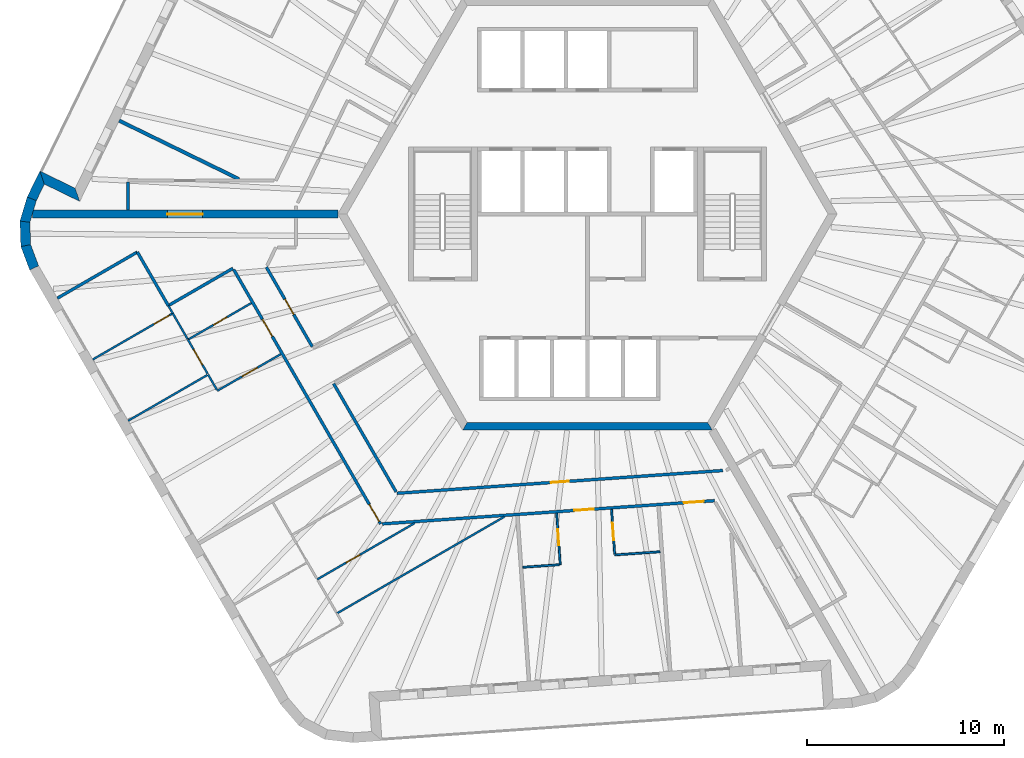
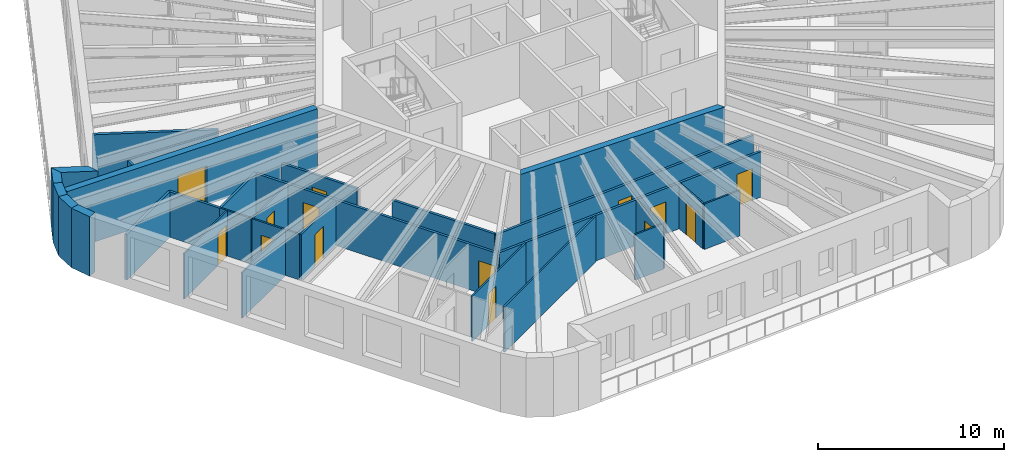
# One storey, part 4 of 12: 31 walls, 14 doors, 14 openings.
"""IFC4 building model written with IfcOpenShell, lengths in metres."""

from ifc_helpers import new_model, si_unit, direction, frame, frame_2d, origin, place, context, subcontext, project, spatial, polyline, rectangle, outline, extrude, material, layer, layer_set, type_object, element, fill, save


model = new_model("IFC4")

# Units and contexts
model_context = context("Model", 3, precision=1e-05, world=origin(), true_north=direction((0.0, 1.0)))
body_context = subcontext(model_context, "Body", "Model", "MODEL_VIEW")
ifc_project = project(units=[si_unit("LENGTHUNIT", "METRE"), si_unit("AREAUNIT", "SQUARE_METRE"), si_unit("VOLUMEUNIT", "CUBIC_METRE"), si_unit("PLANEANGLEUNIT", "RADIAN"), si_unit("MASSUNIT", "GRAM", prefix="KILO")], contexts=[model_context])

# Site, building, storey
site_placement = place(None, origin())
site = spatial("IfcSite", under=ifc_project, at=site_placement, CompositionType="ELEMENT")
building_placement = place(site_placement, origin())
building = spatial("IfcBuilding", under=site, at=building_placement, Name="Tarnside Tower", CompositionType="ELEMENT")
storey_placement = place(building_placement, frame((0.0, 0.0, 271.800048828125)))
storey = spatial("IfcBuildingStorey", under=building, at=storey_placement, Name="L65", CompositionType="ELEMENT", Elevation=271.800048828125)

# Wall, opening, door
ifc_material_1 = material(Name="Gypsum board partition on steel studs", Category="steel")
ifc_layer_1 = layer(ifc_material_1, 0.10009765625)
ifc_layer_set_1 = layer_set([ifc_layer_1], Name="Bathroom wall 100")
wall_type_1 = type_object("IfcWallType", Name="Bathroom wall 100", PredefinedType="PARTITIONING", material=ifc_layer_set_1)
wall_1_placement = place(storey_placement, frame((-17.1005859375, -4.53076171875, 0.0), z_axis=(0.0, 0.0, 1.0), x_axis=(-0.866028424924, -0.499994767197, 0.0)))
wall_1 = element("IfcWall", 1, at=wall_1_placement, inside=storey, type_object=wall_type_1, Name="Bathroom wall 21120", PredefinedType="PARTITIONING", context=body_context, shape_type="SweptSolid", body=[
    extrude(rectangle(XDim=3.72509765625, YDim=0.10009765625, at=frame_2d((1.862548828125, 0.0))), origin(), (0.0, 0.0, 1.0), 2.98779296875),
])
opening_1_placement = place(wall_1_placement, frame((1.425048828125, 0.0, 0.0)))
opening_1 = element("IfcOpeningElement", 2, at=opening_1_placement, cuts=wall_1, Name="Opening D-B1", PredefinedType="OPENING", context=body_context, shape_type="SweptSolid", body=[
    extrude(rectangle(XDim=0.800048828125, YDim=2.10009765625, at=frame_2d((0.39990234375, 1.050048828125))), frame((0.0, 0.06005859375, 0.0), z_axis=(0.0, -1.0, 0.0), x_axis=(1.0, 0.0, 0.0)), (0.0, 0.0, 1.0), 0.1201171875),
])
ifc_material_2 = material(Name="Timber door leaf", Category="wood")
door_type_1 = type_object("IfcDoorType", Name="Bathroom door 800", OperationType="NOTDEFINED", PredefinedType="DOOR", material=ifc_material_2)
door_1_placement = place(opening_1_placement, origin())
door_1 = element("IfcDoor", 3, at=door_1_placement, inside=storey, type_object=door_type_1, Name="Bathroom door 21027", OperationType="SINGLE_SWING_RIGHT", OverallHeight=2.10009765625, OverallWidth=0.800048828125, PredefinedType="DOOR", context=body_context, shape_type="SweptSolid", body=[
    extrude(rectangle(XDim=0.800048828125, YDim=2.10009765625, at=frame_2d((0.39990234375, 1.050048828125))), frame((0.0, 0.02490234375, 0.0), z_axis=(0.0, -1.0, 0.0), x_axis=(1.0, 0.0, 0.0)), (0.0, 0.0, 1.0), 0.050048828125),
])
fill(opening_1, door_1)

# Walls
wall_2_placement = place(storey_placement, frame((-21.32763671875, -4.659423828125, 0.0), z_axis=(0.0, 0.0, 1.0), x_axis=(0.500250683452, -0.865880623242, 0.0)))
element("IfcWall", 4, at=wall_2_placement, inside=storey, type_object=wall_type_1, Name="Bathroom wall 21122", PredefinedType="PARTITIONING", context=body_context, shape_type="SweptSolid", body=[
    extrude(rectangle(XDim=0.453369140625, YDim=0.10009765625, at=frame_2d((0.2265625, 0.0))), origin(), (0.0, 0.0, 1.0), 2.98779296875),
])
wall_3_placement = place(storey_placement, frame((-21.100830078125, -5.052001953125, 0.0), z_axis=(0.0, 0.0, 1.0), x_axis=(0.49997126526, -0.866041993159, 0.0)))
element("IfcWall", 5, at=wall_3_placement, inside=storey, type_object=wall_type_1, Name="Bathroom wall 21123", PredefinedType="PARTITIONING", context=body_context, shape_type="SweptSolid", body=[
    extrude(rectangle(XDim=1.50048828125, YDim=0.10009765625, at=frame_2d((0.750244140625, 0.0))), origin(), (0.0, 0.0, 1.0), 2.98779296875),
])
wall_4_placement = place(storey_placement, frame((-4.238037109375, -15.408203125, 0.0), z_axis=(0.0, 0.0, 1.0), x_axis=(-0.86602504101, -0.500000628343, 0.0)))
element("IfcWall", 6, at=wall_4_placement, inside=storey, type_object=wall_type_1, Name="Bathroom wall 21127", PredefinedType="PARTITIONING", context=body_context, shape_type="SweptSolid", body=[
    extrude(rectangle(XDim=9.82568359375, YDim=0.10009765625, at=frame_2d((4.912841796875, 0.0))), origin(), (0.0, 0.0, 1.0), 2.98779296875),
])

# Wall, opening, door
wall_5_placement = place(storey_placement, frame((-13.747314453125, -18.5888671875, 0.0), z_axis=(0.0, 0.0, 1.0), x_axis=(0.866022251081, 0.500005460603, 0.0)))
wall_5 = element("IfcWall", 7, at=wall_5_placement, inside=storey, type_object=wall_type_1, Name="Bathroom wall 21133", PredefinedType="PARTITIONING", context=body_context, shape_type="SweptSolid", body=[
    extrude(rectangle(XDim=5.72509765625, YDim=0.10009765625, at=frame_2d((2.862548828125, 0.0))), origin(), (0.0, 0.0, 1.0), 2.98779296875),
])
opening_2_placement = place(wall_5_placement, frame((1.699951171875, 0.0, 0.0)))
opening_2 = element("IfcOpeningElement", 8, at=opening_2_placement, cuts=wall_5, Name="Opening D-B1", PredefinedType="OPENING", context=body_context, shape_type="SweptSolid", body=[
    extrude(rectangle(XDim=0.800048828125, YDim=2.10009765625, at=frame_2d((0.39990234375, 1.050048828125))), frame((0.0, 0.06005859375, 0.0), z_axis=(0.0, -1.0, 0.0), x_axis=(1.0, 0.0, 0.0)), (0.0, 0.0, 1.0), 0.1201171875),
])
door_2_placement = place(opening_2_placement, origin())
door_2 = element("IfcDoor", 9, at=door_2_placement, inside=storey, type_object=door_type_1, Name="Bathroom door 21041", OperationType="SINGLE_SWING_RIGHT", OverallHeight=2.10009765625, OverallWidth=0.800048828125, PredefinedType="DOOR", context=body_context, shape_type="SweptSolid", body=[
    extrude(rectangle(XDim=0.800048828125, YDim=2.10009765625, at=frame_2d((0.39990234375, 1.050048828125))), frame((0.0, 0.02490234375, 0.0), z_axis=(0.0, -1.0, 0.0), x_axis=(1.0, 0.0, 0.0)), (0.0, 0.0, 1.0), 0.050048828125),
])
fill(opening_2, door_2)

wall_6_placement = place(storey_placement, frame((-1.566650390625, -15.221435546875, 0.0), z_axis=(0.0, 0.0, 1.0), x_axis=(0.069753235829, -0.997564276672, 0.0)))
wall_6 = element("IfcWall", 10, at=wall_6_placement, inside=storey, type_object=wall_type_1, Name="Bathroom wall 21137", PredefinedType="PARTITIONING", context=body_context, shape_type="SweptSolid", body=[
    extrude(rectangle(XDim=2.625, YDim=0.10009765625, at=frame_2d((1.3125, 0.0))), origin(), (0.0, 0.0, 1.0), 2.98779296875),
])
opening_3_placement = place(wall_6_placement, frame((0.824951171875, 0.0, 0.0)))
opening_3 = element("IfcOpeningElement", 11, at=opening_3_placement, cuts=wall_6, Name="Opening D-B1", PredefinedType="OPENING", context=body_context, shape_type="SweptSolid", body=[
    extrude(rectangle(XDim=0.800048828125, YDim=2.10009765625, at=frame_2d((0.39990234375, 1.050048828125))), frame((0.0, 0.06005859375, 0.0), z_axis=(0.0, -1.0, 0.0), x_axis=(1.0, 0.0, 0.0)), (0.0, 0.0, 1.0), 0.1201171875),
])
door_3_placement = place(opening_3_placement, origin())
door_3 = element("IfcDoor", 12, at=door_3_placement, inside=storey, type_object=door_type_1, Name="Bathroom door 21043", OperationType="SINGLE_SWING_RIGHT", OverallHeight=2.10009765625, OverallWidth=0.800048828125, PredefinedType="DOOR", context=body_context, shape_type="SweptSolid", body=[
    extrude(rectangle(XDim=0.800048828125, YDim=2.10009765625, at=frame_2d((0.39990234375, 1.050048828125))), frame((0.0, 0.02490234375, 0.0), z_axis=(0.0, -1.0, 0.0), x_axis=(1.0, 0.0, 0.0)), (0.0, 0.0, 1.0), 0.050048828125),
])
fill(opening_3, door_3)

# Walls
wall_7_placement = place(storey_placement, frame((-1.43359375, -17.843505859375, 0.0), z_axis=(0.0, 0.0, 1.0), x_axis=(-0.997568101915, -0.069698508173, 0.0)))
element("IfcWall", 13, at=wall_7_placement, inside=storey, type_object=wall_type_1, Name="Bathroom wall 21138", PredefinedType="PARTITIONING", context=body_context, shape_type="SweptSolid", body=[
    extrude(rectangle(XDim=1.860107421875, YDim=0.10009765625, at=frame_2d((0.93017578125, 0.0))), origin(), (0.0, 0.0, 1.0), 2.98779296875),
])
ifc_material_3 = material(Name="Concrete C60/75", Category="concrete")
ifc_layer_2 = layer(ifc_material_3, 0.39990234375)
ifc_layer_set_2 = layer_set([ifc_layer_2], Name="Core wall Z3 400 C60/75")
wall_type_2 = type_object("IfcWallType", Name="Core wall Z3 400 C60/75", PredefinedType="SHEAR", material=ifc_layer_set_2)
wall_8_placement = place(storey_placement, frame((-6.2353515625, -10.800048828125, -0.150146484375), z_axis=(0.0, 0.0, 1.0), x_axis=(1.0, 0.0, 0.0)))
element("IfcWall", 14, at=wall_8_placement, inside=storey, type_object=wall_type_2, Name="L65 core wall face 4", PredefinedType="SHEAR", context=body_context, shape_type="SweptSolid", body=[
    extrude(outline(polyline([(-0.115478515625, -0.199951171875), (12.586181640625, -0.199951171875), (12.355224609375, 0.199951171875), (0.115478515625, 0.199951171875), (-0.115478515625, -0.199951171875)])), origin(), (0.0, 0.0, 1.0), 3.900146484375),
])

# Wall, opening, door
wall_9_placement = place(storey_placement, frame((-12.70166015625, 0.0, -0.150146484375), z_axis=(0.0, 0.0, 1.0), x_axis=(-1.0, 0.0, 0.0)))
wall_9 = element("IfcWall", 15, at=wall_9_placement, inside=storey, type_object=wall_type_2, Name="L65 spine wall 2", PredefinedType="SHEAR", context=body_context, shape_type="SweptSolid", body=[
    extrude(rectangle(XDim=15.54443359375, YDim=0.39990234375, at=frame_2d((7.772216796875, 0.0))), origin(), (0.0, 0.0, 1.0), 3.900146484375),
])
opening_4_placement = place(wall_9_placement, frame((6.872314453125, 0.0, 0.14990234375)))
opening_4 = element("IfcOpeningElement", 16, at=opening_4_placement, cuts=wall_9, Name="Opening CD-SPN", PredefinedType="OPENING", context=body_context, shape_type="SweptSolid", body=[
    extrude(rectangle(XDim=1.800048828125, YDim=2.39990234375, at=frame_2d((0.89990234375, 1.199951171875))), frame((0.0, 0.2099609375, 0.0), z_axis=(0.0, -1.0, 0.0), x_axis=(1.0, 0.0, 0.0)), (0.0, 0.0, 1.0), 0.419921875),
])
ifc_material_4 = material(Name="Steel fire door", Category="steel")
door_type_2 = type_object("IfcDoorType", Name="Spine passage double door FD60 1800x2400", OperationType="NOTDEFINED", PredefinedType="DOOR", material=ifc_material_4)
door_4_placement = place(opening_4_placement, origin())
door_4 = element("IfcDoor", 17, at=door_4_placement, inside=storey, type_object=door_type_2, Name="L65 spine passage door 2", OperationType="DOUBLE_DOOR_SINGLE_SWING", OverallHeight=2.39990234375, OverallWidth=1.800048828125, PredefinedType="DOOR", context=body_context, shape_type="SweptSolid", body=[
    extrude(rectangle(XDim=1.800048828125, YDim=2.39990234375, at=frame_2d((0.89990234375, 1.199951171875))), frame((0.0, 0.02490234375, 0.0), z_axis=(0.0, -1.0, 0.0), x_axis=(1.0, 0.0, 0.0)), (0.0, 0.0, 1.0), 0.050048828125),
])
fill(opening_4, door_4)

# Wall
ifc_layer_3 = layer(ifc_material_1, 0.14990234375)
ifc_layer_set_3 = layer_set([ifc_layer_3], Name="Corridor wall 150 EI 60")
wall_type_3 = type_object("IfcWallType", Name="Corridor wall 150 EI 60", PredefinedType="PARTITIONING", material=ifc_layer_set_3)
wall_10_placement = place(storey_placement, frame((-23.3740234375, 1.625, 0.0), z_axis=(0.0, 0.0, 1.0), x_axis=(0.0, -1.0, 0.0)))
element("IfcWall", 18, at=wall_10_placement, inside=storey, type_object=wall_type_3, Name="Corridor wall 21019", PredefinedType="PARTITIONING", context=body_context, shape_type="SweptSolid", body=[
    extrude(rectangle(XDim=1.425048828125, YDim=0.14990234375, at=frame_2d((0.71240234375, 0.0))), origin(), (0.0, 0.0, 1.0), 2.98779296875),
])

# Wall, openings, doors
wall_11_placement = place(storey_placement, frame((-17.998291015625, -2.826171875, 0.0), z_axis=(0.0, 0.0, 1.0), x_axis=(0.500003306199, -0.866023494941, 0.0)))
wall_11 = element("IfcWall", 19, at=wall_11_placement, inside=storey, type_object=wall_type_3, Name="Corridor wall 21029", PredefinedType="PARTITIONING", context=body_context, shape_type="SweptSolid", body=[
    extrude(rectangle(XDim=14.94921875, YDim=0.14990234375, at=frame_2d((7.474609375, 0.0))), origin(), (0.0, 0.0, 1.0), 2.98779296875),
])
opening_5_placement = place(wall_11_placement, frame((2.925048828125, 0.0, 0.0)))
opening_5 = element("IfcOpeningElement", 20, at=opening_5_placement, cuts=wall_11, Name="Opening D-E1", PredefinedType="OPENING", context=body_context, shape_type="SweptSolid", body=[
    extrude(rectangle(XDim=1.0, YDim=2.10009765625, at=frame_2d((0.5, 1.050048828125))), frame((0.0, 0.0849609375, 0.0), z_axis=(0.0, -1.0, 0.0), x_axis=(1.0, 0.0, 0.0)), (0.0, 0.0, 1.0), 0.169921875),
])
opening_6_placement = place(wall_11_placement, frame((13.79931640625, 0.0, 0.0)))
opening_6 = element("IfcOpeningElement", 21, at=opening_6_placement, cuts=wall_11, Name="Opening D-E1", PredefinedType="OPENING", context=body_context, shape_type="SweptSolid", body=[
    extrude(rectangle(XDim=1.0, YDim=2.10009765625, at=frame_2d((0.5, 1.050048828125))), frame((0.0, 0.0849609375, 0.0), z_axis=(0.0, -1.0, 0.0), x_axis=(1.0, 0.0, 0.0)), (0.0, 0.0, 1.0), 0.169921875),
])
door_type_3 = type_object("IfcDoorType", Name="Unit entrance door 1000 FD30S", OperationType="NOTDEFINED", PredefinedType="DOOR", material=ifc_material_2)
door_5_placement = place(opening_5_placement, origin())
door_5 = element("IfcDoor", 22, at=door_5_placement, inside=storey, type_object=door_type_3, Name="Unit door 21026", OperationType="SINGLE_SWING_RIGHT", OverallHeight=2.10009765625, OverallWidth=1.0, PredefinedType="DOOR", context=body_context, shape_type="SweptSolid", body=[
    extrude(rectangle(XDim=1.0, YDim=2.10009765625, at=frame_2d((0.5, 1.050048828125))), frame((0.0, 0.02490234375, 0.0), z_axis=(0.0, -1.0, 0.0), x_axis=(1.0, 0.0, 0.0)), (0.0, 0.0, 1.0), 0.050048828125),
])
fill(opening_5, door_5)
door_6_placement = place(opening_6_placement, origin())
door_6 = element("IfcDoor", 23, at=door_6_placement, inside=storey, type_object=door_type_3, Name="Unit door 21033", OperationType="SINGLE_SWING_LEFT", OverallHeight=2.10009765625, OverallWidth=1.0, PredefinedType="DOOR", context=body_context, shape_type="SweptSolid", body=[
    extrude(rectangle(XDim=1.0, YDim=2.10009765625, at=frame_2d((0.5, 1.050048828125))), frame((0.0, 0.02490234375, 0.0), z_axis=(0.0, -1.0, 0.0), x_axis=(1.0, 0.0, 0.0)), (0.0, 0.0, 1.0), 0.050048828125),
])
fill(opening_6, door_6)

# Walls
wall_12_placement = place(storey_placement, frame((-21.32666015625, -4.6611328125, 0.0), z_axis=(0.0, 0.0, 1.0), x_axis=(0.866044365799, 0.499967155389, 0.0)))
element("IfcWall", 24, at=wall_12_placement, inside=storey, type_object=wall_type_3, Name="Corridor wall 21031", PredefinedType="PARTITIONING", context=body_context, shape_type="SweptSolid", body=[
    extrude(rectangle(XDim=3.800048828125, YDim=0.14990234375, at=frame_2d((1.89990234375, 0.0))), origin(), (0.0, 0.0, 1.0), 2.98779296875),
])
wall_13_placement = place(storey_placement, frame((-26.97119140625, -4.284423828125, 0.0), z_axis=(0.0, 0.0, 1.0), x_axis=(0.866018584967, 0.500011810352, 0.0)))
element("IfcWall", 25, at=wall_13_placement, inside=storey, type_object=wall_type_3, Name="Corridor wall 21033", PredefinedType="PARTITIONING", context=body_context, shape_type="SweptSolid", body=[
    extrude(rectangle(XDim=4.69873046875, YDim=0.14990234375, at=frame_2d((2.349365234375, 0.0))), origin(), (0.0, 0.0, 1.0), 2.98779296875),
])
wall_14_placement = place(storey_placement, frame((-22.900390625, -1.935546875, 0.0), z_axis=(0.0, 0.0, 1.0), x_axis=(0.50003099832, -0.866007506156, 0.0)))
element("IfcWall", 26, at=wall_14_placement, inside=storey, type_object=wall_type_3, Name="Corridor wall 21034", PredefinedType="PARTITIONING", context=body_context, shape_type="SweptSolid", body=[
    extrude(rectangle(XDim=3.150634765625, YDim=0.14990234375, at=frame_2d((1.5751953125, 0.0))), origin(), (0.0, 0.0, 1.0), 2.98779296875),
])

# Wall, openings, doors
wall_15_placement = place(storey_placement, frame((-10.4404296875, -15.7666015625, 0.0), z_axis=(0.0, 0.0, 1.0), x_axis=(0.997565037323, 0.069742356651, 0.0)))
wall_15 = element("IfcWall", 27, at=wall_15_placement, inside=storey, type_object=wall_type_3, Name="Corridor wall 21035", PredefinedType="PARTITIONING", context=body_context, shape_type="SweptSolid", body=[
    extrude(rectangle(XDim=16.939453125, YDim=0.14990234375, at=frame_2d((8.4697265625, 0.0))), origin(), (0.0, 0.0, 1.0), 2.98779296875),
])
opening_7_placement = place(wall_15_placement, frame((9.7900390625, 0.0, 0.0)))
opening_7 = element("IfcOpeningElement", 28, at=opening_7_placement, cuts=wall_15, Name="Opening D-E1", PredefinedType="OPENING", context=body_context, shape_type="SweptSolid", body=[
    extrude(rectangle(XDim=1.0, YDim=2.10009765625, at=frame_2d((0.5, 1.050048828125))), frame((0.0, 0.0849609375, 0.0), z_axis=(0.0, -1.0, 0.0), x_axis=(1.0, 0.0, 0.0)), (0.0, 0.0, 1.0), 0.169921875),
])
opening_8_placement = place(wall_15_placement, frame((15.39013671875, 0.0, 0.0)))
opening_8 = element("IfcOpeningElement", 29, at=opening_8_placement, cuts=wall_15, Name="Opening D-E1", PredefinedType="OPENING", context=body_context, shape_type="SweptSolid", body=[
    extrude(rectangle(XDim=1.0, YDim=2.10009765625, at=frame_2d((0.5, 1.050048828125))), frame((0.0, 0.0849609375, 0.0), z_axis=(0.0, -1.0, 0.0), x_axis=(1.0, 0.0, 0.0)), (0.0, 0.0, 1.0), 0.169921875),
])
door_7_placement = place(opening_7_placement, origin())
door_7 = element("IfcDoor", 30, at=door_7_placement, inside=storey, type_object=door_type_3, Name="Unit door 21042", OperationType="SINGLE_SWING_RIGHT", OverallHeight=2.10009765625, OverallWidth=1.0, PredefinedType="DOOR", context=body_context, shape_type="SweptSolid", body=[
    extrude(rectangle(XDim=1.0, YDim=2.10009765625, at=frame_2d((0.5, 1.050048828125))), frame((0.0, 0.02490234375, 0.0), z_axis=(0.0, -1.0, 0.0), x_axis=(1.0, 0.0, 0.0)), (0.0, 0.0, 1.0), 0.050048828125),
])
fill(opening_7, door_7)
door_8_placement = place(opening_8_placement, origin())
door_8 = element("IfcDoor", 31, at=door_8_placement, inside=storey, type_object=door_type_3, Name="Unit door 21045", OperationType="SINGLE_SWING_LEFT", OverallHeight=2.10009765625, OverallWidth=1.0, PredefinedType="DOOR", context=body_context, shape_type="SweptSolid", body=[
    extrude(rectangle(XDim=1.0, YDim=2.10009765625, at=frame_2d((0.5, 1.050048828125))), frame((0.0, 0.02490234375, 0.0), z_axis=(0.0, -1.0, 0.0), x_axis=(1.0, 0.0, 0.0)), (0.0, 0.0, 1.0), 0.050048828125),
])
fill(opening_8, door_8)

# Wall, opening, door
wall_16_placement = place(storey_placement, frame((-14.000244140625, -6.750732421875, 0.0), z_axis=(0.0, 0.0, 1.0), x_axis=(-0.500008739126, 0.866020358189, 0.0)))
wall_16 = element("IfcWall", 32, at=wall_16_placement, inside=storey, type_object=wall_type_3, Name="Corridor wall 21048", PredefinedType="PARTITIONING", context=body_context, shape_type="SweptSolid", body=[
    extrude(rectangle(XDim=4.67529296875, YDim=0.14990234375, at=frame_2d((2.337646484375, 0.0))), origin(), (0.0, 0.0, 1.0), 2.98779296875),
])
opening_9_placement = place(wall_16_placement, frame((1.8876953125, 0.0, 0.0)))
opening_9 = element("IfcOpeningElement", 33, at=opening_9_placement, cuts=wall_16, Name="Opening D-S1", PredefinedType="OPENING", context=body_context, shape_type="SweptSolid", body=[
    extrude(rectangle(XDim=0.89990234375, YDim=2.10009765625, at=frame_2d((0.449951171875, 1.050048828125))), frame((0.0, 0.0849609375, 0.0), z_axis=(0.0, -1.0, 0.0), x_axis=(1.0, 0.0, 0.0)), (0.0, 0.0, 1.0), 0.169921875),
])
door_type_4 = type_object("IfcDoorType", Name="Service room door 900 FD30S", OperationType="NOTDEFINED", PredefinedType="DOOR", material=ifc_material_2)
door_9_placement = place(opening_9_placement, origin())
door_9 = element("IfcDoor", 34, at=door_9_placement, inside=storey, type_object=door_type_4, Name="Service door 21071", OperationType="SINGLE_SWING_RIGHT", OverallHeight=2.10009765625, OverallWidth=0.89990234375, PredefinedType="DOOR", context=body_context, shape_type="SweptSolid", body=[
    extrude(rectangle(XDim=0.89990234375, YDim=2.10009765625, at=frame_2d((0.449951171875, 1.050048828125))), frame((0.0, 0.02490234375, 0.0), z_axis=(0.0, -1.0, 0.0), x_axis=(1.0, 0.0, 0.0)), (0.0, 0.0, 1.0), 0.050048828125),
])
fill(opening_9, door_9)

wall_17_placement = place(storey_placement, frame((6.88427734375, -13.051513671875, 0.0), z_axis=(0.0, 0.0, 1.0), x_axis=(-0.997564224443, -0.069753982764, 0.0)))
wall_17 = element("IfcWall", 35, at=wall_17_placement, inside=storey, type_object=wall_type_3, Name="Corridor wall 21053", PredefinedType="PARTITIONING", context=body_context, shape_type="SweptSolid", body=[
    extrude(rectangle(XDim=16.6181640625, YDim=0.14990234375, at=frame_2d((8.30908203125, 0.0))), origin(), (0.0, 0.0, 1.0), 2.98779296875),
])
opening_10_placement = place(wall_17_placement, frame((7.85888671875, 0.0, 0.0)))
opening_10 = element("IfcOpeningElement", 36, at=opening_10_placement, cuts=wall_17, Name="Opening D-S1", PredefinedType="OPENING", context=body_context, shape_type="SweptSolid", body=[
    extrude(rectangle(XDim=0.89990234375, YDim=2.10009765625, at=frame_2d((0.449951171875, 1.050048828125))), frame((0.0, 0.0849609375, 0.0), z_axis=(0.0, -1.0, 0.0), x_axis=(1.0, 0.0, 0.0)), (0.0, 0.0, 1.0), 0.169921875),
])
door_10_placement = place(opening_10_placement, origin())
door_10 = element("IfcDoor", 37, at=door_10_placement, inside=storey, type_object=door_type_4, Name="Service door 21072", OperationType="SINGLE_SWING_RIGHT", OverallHeight=2.10009765625, OverallWidth=0.89990234375, PredefinedType="DOOR", context=body_context, shape_type="SweptSolid", body=[
    extrude(rectangle(XDim=0.89990234375, YDim=2.10009765625, at=frame_2d((0.449951171875, 1.050048828125))), frame((0.0, 0.02490234375, 0.0), z_axis=(0.0, -1.0, 0.0), x_axis=(1.0, 0.0, 0.0)), (0.0, 0.0, 1.0), 0.050048828125),
])
fill(opening_10, door_10)

# Walls
wall_18_placement = place(storey_placement, frame((-9.73486328125, -14.138427734375, 0.0), z_axis=(0.0, 0.0, 1.0), x_axis=(-0.500018385592, 0.866014788598, 0.0)))
element("IfcWall", 38, at=wall_18_placement, inside=storey, type_object=wall_type_3, Name="Corridor wall 21054", PredefinedType="PARTITIONING", context=body_context, shape_type="SweptSolid", body=[
    extrude(rectangle(XDim=6.355712890625, YDim=0.14990234375, at=frame_2d((3.177734375, 0.0))), origin(), (0.0, 0.0, 1.0), 2.98779296875),
])
ifc_layer_4 = layer(ifc_material_1, 0.179931640625)
ifc_layer_set_4 = layer_set([ifc_layer_4], Name="Demising wall 180 EI 60")
wall_type_4 = type_object("IfcWallType", Name="Demising wall 180 EI 60", PredefinedType="PARTITIONING", material=ifc_layer_set_4)
wall_19_placement = place(storey_placement, frame((-23.82861328125, 4.75146484375, 0.0), z_axis=(0.0, 0.0, 1.0), x_axis=(0.898785032636, -0.438389627056, 0.0)))
element("IfcWall", 39, at=wall_19_placement, inside=storey, type_object=wall_type_4, Name="Demising wall 21109", PredefinedType="PARTITIONING", context=body_context, shape_type="SweptSolid", body=[
    extrude(rectangle(XDim=6.789794921875, YDim=0.179931640625, at=frame_2d((3.39501953125, 0.0))), origin(), (0.0, 0.0, 1.0), 2.98779296875),
])
ifc_material_5 = material(Name="Dark zinc cladding")
ifc_layer_5 = layer(ifc_material_5, 0.10205078125)
ifc_material_6 = material(Name="Concrete C60/75 precast", Category="concrete")
ifc_layer_6 = layer(ifc_material_6, 0.298095703125)
ifc_material_7 = material(Name="Mineral wool insulation")
ifc_layer_7 = layer(ifc_material_7, 0.10009765625)
ifc_layer_set_5 = layer_set([ifc_layer_5, ifc_layer_6, ifc_layer_7], Name="Loggia wall 500 zinc faced")
wall_type_5 = type_object("IfcWallType", Name="Loggia wall 500 zinc faced", PredefinedType="SOLIDWALL", material=ifc_layer_set_5)
wall_20_placement = place(storey_placement, frame((-25.9482421875, 0.97607421875, -0.150146484375), z_axis=(0.0, 0.0, 1.0), x_axis=(-0.898802465371, 0.438353884714, 0.0)))
element("IfcWall", 40, at=wall_20_placement, inside=storey, type_object=wall_type_5, Name="Tube wall L65 F2 return 07", PredefinedType="SOLIDWALL", context=body_context, shape_type="SweptSolid", body=[
    extrude(outline(polyline([(0.25, -0.25), (2.25, -0.25), (1.75, 0.25), (-0.25, 0.25), (0.25, -0.25)])), origin(), (0.0, 0.0, 1.0), 3.900146484375),
])
wall_21_placement = place(storey_placement, frame((-27.745849609375, 1.852783203125, -0.150146484375), z_axis=(0.0, 0.0, 1.0), x_axis=(-0.438319390103, -0.898819287877, 0.0)))
element("IfcWall", 41, at=wall_21_placement, inside=storey, type_object=wall_type_5, Name="Tube wall L65 F2 stub 08", PredefinedType="SOLIDWALL", context=body_context, shape_type="SweptSolid", body=[
    extrude(outline(polyline([(-0.25, -0.25), (1.22021484375, -0.25), (1.17919921875, 0.25), (0.25, 0.25), (-0.25, -0.25)])), origin(), (0.0, 0.0, 1.0), 3.900146484375),
])

# Wall, opening, door
ifc_layer_8 = layer(ifc_material_1, 0.10009765625)
ifc_layer_set_6 = layer_set([ifc_layer_8], Name="Partition 100")
wall_type_6 = type_object("IfcWallType", Name="Partition 100", PredefinedType="PARTITIONING", material=ifc_layer_set_6)
wall_22_placement = place(storey_placement, frame((-15.6005859375, -7.12890625, 0.0), z_axis=(0.0, 0.0, 1.0), x_axis=(-0.866056803351, -0.499945610411, 0.0)))
wall_22 = element("IfcWall", 42, at=wall_22_placement, inside=storey, type_object=wall_type_6, Name="Partition wall 21115", PredefinedType="PARTITIONING", context=body_context, shape_type="SweptSolid", body=[
    extrude(rectangle(XDim=3.72509765625, YDim=0.10009765625, at=frame_2d((1.862548828125, 0.0))), origin(), (0.0, 0.0, 1.0), 2.98779296875),
])
opening_11_placement = place(wall_22_placement, frame((1.375, 0.0, 0.0)))
opening_11 = element("IfcOpeningElement", 43, at=opening_11_placement, cuts=wall_22, Name="Opening D-I1", PredefinedType="OPENING", context=body_context, shape_type="SweptSolid", body=[
    extrude(rectangle(XDim=0.89990234375, YDim=2.10009765625, at=frame_2d((0.449951171875, 1.050048828125))), frame((0.0, 0.06005859375, 0.0), z_axis=(0.0, -1.0, 0.0), x_axis=(1.0, 0.0, 0.0)), (0.0, 0.0, 1.0), 0.1201171875),
])
door_type_5 = type_object("IfcDoorType", Name="Internal door 900", OperationType="NOTDEFINED", PredefinedType="DOOR", material=ifc_material_2)
door_11_placement = place(opening_11_placement, origin())
door_11 = element("IfcDoor", 44, at=door_11_placement, inside=storey, type_object=door_type_5, Name="Internal door 21028", OperationType="SINGLE_SWING_RIGHT", OverallHeight=2.10009765625, OverallWidth=0.89990234375, PredefinedType="DOOR", context=body_context, shape_type="SweptSolid", body=[
    extrude(rectangle(XDim=0.89990234375, YDim=2.10009765625, at=frame_2d((0.449951171875, 1.050048828125))), frame((0.0, 0.02490234375, 0.0), z_axis=(0.0, -1.0, 0.0), x_axis=(1.0, 0.0, 0.0)), (0.0, 0.0, 1.0), 0.050048828125),
])
fill(opening_11, door_11)

# Walls
wall_23_placement = place(storey_placement, frame((-18.8515625, -8.947998046875, 0.0), z_axis=(0.0, 0.0, 1.0), x_axis=(-0.500074377092, 0.865982457891, 0.0)))
element("IfcWall", 45, at=wall_23_placement, inside=storey, type_object=wall_type_6, Name="Partition wall 21116", PredefinedType="PARTITIONING", context=body_context, shape_type="SweptSolid", body=[
    extrude(rectangle(XDim=0.900634765625, YDim=0.10009765625, at=frame_2d((0.4501953125, 0.0))), origin(), (0.0, 0.0, 1.0), 2.98779296875),
])
wall_24_placement = place(storey_placement, frame((-19.34423828125, -8.19482421875, 0.0), z_axis=(0.0, 0.0, 1.0), x_axis=(-0.866034331223, -0.499984536904, 0.0)))
element("IfcWall", 46, at=wall_24_placement, inside=storey, type_object=wall_type_6, Name="Partition wall 21117", PredefinedType="PARTITIONING", context=body_context, shape_type="SweptSolid", body=[
    extrude(rectangle(XDim=4.650146484375, YDim=0.10009765625, at=frame_2d((2.3251953125, 0.0))), origin(), (0.0, 0.0, 1.0), 2.98779296875),
])

# Wall, opening, door
wall_25_placement = place(storey_placement, frame((-20.32763671875, -6.3916015625, 0.0), z_axis=(0.0, 0.0, 1.0), x_axis=(0.500031897912, -0.866006986733, 0.0)))
wall_25 = element("IfcWall", 47, at=wall_25_placement, inside=storey, type_object=wall_type_6, Name="Partition wall 21121", PredefinedType="PARTITIONING", context=body_context, shape_type="SweptSolid", body=[
    extrude(rectangle(XDim=2.003173828125, YDim=0.10009765625, at=frame_2d((1.00146484375, 0.0))), origin(), (0.0, 0.0, 1.0), 2.98779296875),
])
opening_12_placement = place(wall_25_placement, frame((0.57763671875, 0.0, 0.0)))
opening_12 = element("IfcOpeningElement", 48, at=opening_12_placement, cuts=wall_25, Name="Opening D-I1", PredefinedType="OPENING", context=body_context, shape_type="SweptSolid", body=[
    extrude(rectangle(XDim=0.89990234375, YDim=2.10009765625, at=frame_2d((0.449951171875, 1.050048828125))), frame((0.0, 0.06005859375, 0.0), z_axis=(0.0, -1.0, 0.0), x_axis=(1.0, 0.0, 0.0)), (0.0, 0.0, 1.0), 0.1201171875),
])
door_12_placement = place(opening_12_placement, origin())
door_12 = element("IfcDoor", 49, at=door_12_placement, inside=storey, type_object=door_type_5, Name="Internal door 21032", OperationType="SINGLE_SWING_LEFT", OverallHeight=2.10009765625, OverallWidth=0.89990234375, PredefinedType="DOOR", context=body_context, shape_type="SweptSolid", body=[
    extrude(rectangle(XDim=0.89990234375, YDim=2.10009765625, at=frame_2d((0.449951171875, 1.050048828125))), frame((0.0, 0.02490234375, 0.0), z_axis=(0.0, -1.0, 0.0), x_axis=(1.0, 0.0, 0.0)), (0.0, 0.0, 1.0), 0.050048828125),
])
fill(opening_12, door_12)

wall_26_placement = place(storey_placement, frame((-25.171142578125, -7.402099609375, 0.0), z_axis=(0.0, 0.0, 1.0), x_axis=(0.86602120543, 0.500007271693, 0.0)))
wall_26 = element("IfcWall", 50, at=wall_26_placement, inside=storey, type_object=wall_type_6, Name="Partition wall 21124", PredefinedType="PARTITIONING", context=body_context, shape_type="SweptSolid", body=[
    extrude(rectangle(XDim=4.64990234375, YDim=0.10009765625, at=frame_2d((2.324951171875, 0.0))), origin(), (0.0, 0.0, 1.0), 2.98779296875),
])
opening_13_placement = place(wall_26_placement, frame((3.60009765625, 0.0, 0.0)))
opening_13 = element("IfcOpeningElement", 51, at=opening_13_placement, cuts=wall_26, Name="Opening D-I1", PredefinedType="OPENING", context=body_context, shape_type="SweptSolid", body=[
    extrude(rectangle(XDim=0.89990234375, YDim=2.10009765625, at=frame_2d((0.449951171875, 1.050048828125))), frame((0.0, 0.06005859375, 0.0), z_axis=(0.0, -1.0, 0.0), x_axis=(1.0, 0.0, 0.0)), (0.0, 0.0, 1.0), 0.1201171875),
])
door_13_placement = place(opening_13_placement, origin())
door_13 = element("IfcDoor", 52, at=door_13_placement, inside=storey, type_object=door_type_5, Name="Internal door 21031", OperationType="SINGLE_SWING_RIGHT", OverallHeight=2.10009765625, OverallWidth=0.89990234375, PredefinedType="DOOR", context=body_context, shape_type="SweptSolid", body=[
    extrude(rectangle(XDim=0.89990234375, YDim=2.10009765625, at=frame_2d((0.449951171875, 1.050048828125))), frame((0.0, 0.02490234375, 0.0), z_axis=(0.0, -1.0, 0.0), x_axis=(1.0, 0.0, 0.0)), (0.0, 0.0, 1.0), 0.050048828125),
])
fill(opening_13, door_13)

# Wall
wall_27_placement = place(storey_placement, frame((3.69287109375, -17.184326171875, 0.0), z_axis=(0.0, 0.0, 1.0), x_axis=(-0.997563824095, -0.069759707979, 0.0)))
element("IfcWall", 53, at=wall_27_placement, inside=storey, type_object=wall_type_6, Name="Partition wall 21139", PredefinedType="PARTITIONING", context=body_context, shape_type="SweptSolid", body=[
    extrude(rectangle(XDim=2.309814453125, YDim=0.10009765625, at=frame_2d((1.15478515625, 0.0))), origin(), (0.0, 0.0, 1.0), 2.98779296875),
])

# Wall, opening, door
wall_28_placement = place(storey_placement, frame((1.385009765625, -17.29541015625, 0.0), z_axis=(0.0, 0.0, 1.0), x_axis=(-0.069759707979, 0.997563824095, 0.0)))
wall_28 = element("IfcWall", 54, at=wall_28_placement, inside=storey, type_object=wall_type_6, Name="Partition wall 21140", PredefinedType="PARTITIONING", context=body_context, shape_type="SweptSolid", body=[
    extrude(rectangle(XDim=2.27490234375, YDim=0.10009765625, at=frame_2d((1.137451171875, 0.0))), origin(), (0.0, 0.0, 1.0), 2.98779296875),
])
opening_14_placement = place(wall_28_placement, frame((0.699951171875, 0.0, 0.0)))
opening_14 = element("IfcOpeningElement", 55, at=opening_14_placement, cuts=wall_28, Name="Opening D-I1", PredefinedType="OPENING", context=body_context, shape_type="SweptSolid", body=[
    extrude(rectangle(XDim=0.89990234375, YDim=2.10009765625, at=frame_2d((0.449951171875, 1.050048828125))), frame((0.0, 0.06005859375, 0.0), z_axis=(0.0, -1.0, 0.0), x_axis=(1.0, 0.0, 0.0)), (0.0, 0.0, 1.0), 0.1201171875),
])
door_14_placement = place(opening_14_placement, origin())
door_14 = element("IfcDoor", 56, at=door_14_placement, inside=storey, type_object=door_type_5, Name="Internal door 21044", OperationType="SINGLE_SWING_RIGHT", OverallHeight=2.10009765625, OverallWidth=0.89990234375, PredefinedType="DOOR", context=body_context, shape_type="SweptSolid", body=[
    extrude(rectangle(XDim=0.89990234375, YDim=2.10009765625, at=frame_2d((0.449951171875, 1.050048828125))), frame((0.0, 0.02490234375, 0.0), z_axis=(0.0, -1.0, 0.0), x_axis=(1.0, 0.0, 0.0)), (0.0, 0.0, 1.0), 0.050048828125),
])
fill(opening_14, door_14)

# Walls
ifc_material_8 = material(Name="Facing brick", Category="masonry")
ifc_layer_9 = layer(ifc_material_8, 0.10205078125)
ifc_layer_10 = layer(ifc_material_6, 0.298095703125)
ifc_layer_11 = layer(ifc_material_7, 0.10009765625)
ifc_layer_set_7 = layer_set([ifc_layer_9, ifc_layer_10, ifc_layer_11], Name="Tube wall 500 brick faced")
wall_type_7 = type_object("IfcWallType", Name="Tube wall 500 brick faced", PredefinedType="SOLIDWALL", material=ifc_layer_set_7)
wall_29_placement = place(storey_placement, frame((-28.271728515625, 0.7744140625, -0.150146484375), z_axis=(0.0, 0.0, 1.0), x_axis=(-0.286813843218, -0.957986335674, 0.0)))
element("IfcWall", 57, at=wall_29_placement, inside=storey, type_object=wall_type_7, Name="Tube wall L65 F2 chord 09", PredefinedType="SOLIDWALL", context=body_context, shape_type="SweptSolid", body=[
    extrude(outline(polyline([(-0.0205078125, -0.25), (1.25732421875, -0.25), (1.17529296875, 0.25), (0.0205078125, 0.25), (-0.0205078125, -0.25)])), origin(), (0.0, 0.0, 1.0), 3.900146484375),
])
wall_30_placement = place(storey_placement, frame((-28.62060546875, -0.390869140625, -0.150146484375), z_axis=(0.0, 0.0, 1.0), x_axis=(0.034925456137, -0.999389920158, 0.0)))
element("IfcWall", 58, at=wall_30_placement, inside=storey, type_object=wall_type_7, Name="Tube wall L65 F2 chord 10", PredefinedType="SOLIDWALL", context=body_context, shape_type="SweptSolid", body=[
    extrude(outline(polyline([(-0.041015625, -0.25), (1.25732421875, -0.25), (1.17529296875, 0.25), (0.041015625, 0.25), (-0.041015625, -0.25)])), origin(), (0.0, 0.0, 1.0), 3.900146484375),
])
wall_31_placement = place(storey_placement, frame((-28.578125, -1.6064453125, -0.150146484375), z_axis=(0.0, 0.0, 1.0), x_axis=(0.352838463023, -0.935684251771, 0.0)))
element("IfcWall", 59, at=wall_31_placement, inside=storey, type_object=wall_type_7, Name="Tube wall L65 F2 chord 11", PredefinedType="SOLIDWALL", context=body_context, shape_type="SweptSolid", body=[
    extrude(outline(polyline([(-0.041015625, -0.25), (1.23681640625, -0.25), (1.19580078125, 0.25), (0.041015625, 0.25), (-0.041015625, -0.25)])), origin(), (0.0, 0.0, 1.0), 3.900146484375),
])

save(model, "model.ifc")
